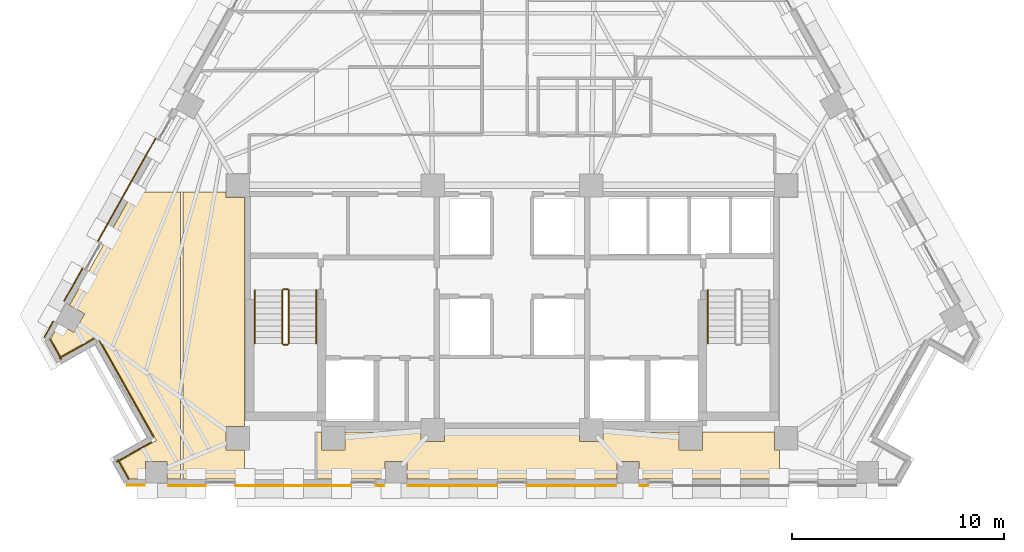
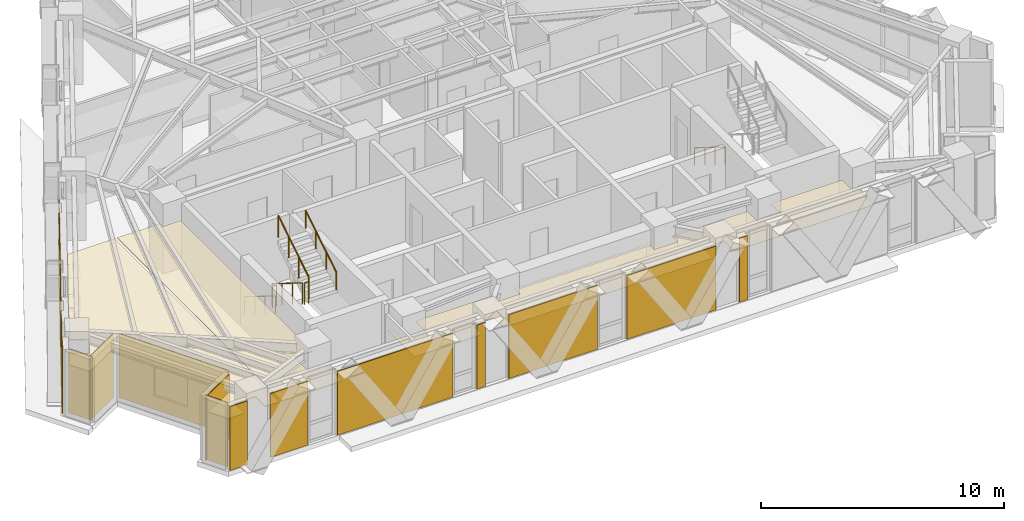
# One storey, part 10 of 13: 18 coverings, 7 railings.
"""IFC4 building model written with IfcOpenShell, lengths in metres."""

from ifc_helpers import new_model, si_unit, direction, frame, origin, origin_2d, place, context, subcontext, project, spatial, polyline, circle, outline, extrude, material, layer, layer_set, type_object, element, save


model = new_model("IFC4")

# Units and contexts
model_context = context("Model", 3, precision=1e-05, world=origin(), true_north=direction((0.0, 1.0)))
body_context = subcontext(model_context, "Body", "Model", "MODEL_VIEW")
ifc_project = project(units=[si_unit("LENGTHUNIT", "METRE"), si_unit("AREAUNIT", "SQUARE_METRE"), si_unit("VOLUMEUNIT", "CUBIC_METRE"), si_unit("PLANEANGLEUNIT", "RADIAN"), si_unit("MASSUNIT", "GRAM", prefix="KILO")], contexts=[model_context])

# Site, building, storey
site_placement = place(None, origin())
site = spatial("IfcSite", under=ifc_project, at=site_placement, CompositionType="ELEMENT")
building_placement = place(site_placement, origin())
building = spatial("IfcBuilding", under=site, at=building_placement, Name="Quenlor Broadcast Tower", CompositionType="ELEMENT")
storey_placement = place(building_placement, frame((0.0, 0.0, 130.0)))
storey = spatial("IfcBuildingStorey", under=building, at=storey_placement, Name="L35", CompositionType="ELEMENT", Elevation=130.0)

# Coverings
ifc_material_1 = material(Name="Acoustic Mineral Fibre Board", Category="other")
ifc_layer_1 = layer(ifc_material_1, 0.02490234375)
ifc_layer_set_1 = layer_set([ifc_layer_1], Name="Acoustic Perforated Mineral Tile Ceiling 25")
covering_type_1 = type_object("IfcCoveringType", Name="Acoustic Perforated Mineral Tile Ceiling 25", PredefinedType="CEILING", material=ifc_layer_set_1)
covering_1_placement = place(storey_placement, frame((0.0, 0.0, 2.375)))
element("IfcCovering", 1, at=covering_1_placement, inside=storey, type_object=covering_type_1, Name="L35 Acoustic Ceiling L35-35-4", PredefinedType="CEILING", context=body_context, shape_type="SweptSolid", body=[
    extrude(outline(polyline([(5.989013671875, -18.659912109375), (5.989013671875, -17.842041015625), (4.972900390625, -17.842041015625), (4.972900390625, -18.659912109375), (-4.972900390625, -18.659912109375), (-4.972900390625, -17.842041015625), (-5.989013671875, -17.842041015625), (-5.989013671875, -18.659912109375), (-9.209228515625, -18.659912109375), (-9.209228515625, -16.449951171875), (-9.008056640625, -16.449951171875), (-9.008056640625, -17.30810546875), (-7.89208984375, -17.30810546875), (-7.89208984375, -16.449951171875), (-4.30810546875, -16.449951171875), (-4.30810546875, -16.907958984375), (-3.19189453125, -16.907958984375), (-3.19189453125, -16.449951171875), (3.19189453125, -16.449951171875), (3.19189453125, -16.907958984375), (4.30810546875, -16.907958984375), (4.30810546875, -16.449951171875), (7.89208984375, -16.449951171875), (7.89208984375, -17.30810546875), (9.008056640625, -17.30810546875), (9.008056640625, -16.449951171875), (12.39208984375, -16.449951171875), (12.39208984375, -17.30810546875), (12.64990234375, -17.30810546875), (12.64990234375, -18.659912109375), (5.989013671875, -18.659912109375)])), origin(), (0.0, 0.0, 1.0), 0.02490234375),
])
ifc_material_2 = material(Name="Acoustic Gypsum Board", Category="other")
ifc_layer_2 = layer(ifc_material_2, 0.0400390625)
ifc_layer_set_2 = layer_set([ifc_layer_2], Name="Broadcast Studio Spring Isolated Ceiling 40")
covering_type_2 = type_object("IfcCoveringType", Name="Broadcast Studio Spring Isolated Ceiling 40", PredefinedType="CEILING", material=ifc_layer_set_2)
covering_2_placement = place(storey_placement, frame((0.0, 0.0, 2.360107421875)))
element("IfcCovering", 2, at=covering_2_placement, inside=storey, type_object=covering_type_2, Name="L35 Acoustic Ceiling L35-34-2", PredefinedType="CEILING", context=body_context, shape_type="SweptSolid", body=[
    extrude(outline(polyline([(-21.794921875, -12.0400390625), (-21.406982421875, -11.350341796875), (-20.694091796875, -11.751220703125), (-20.19580078125, -10.86572265625), (-20.90869140625, -10.46484375), (-17.90234375, -5.1201171875), (-15.659912109375, -5.1201171875), (-15.659912109375, -18.659912109375), (-16.30029296875, -18.659912109375), (-16.30029296875, -17.842041015625), (-17.31640625, -17.842041015625), (-17.31640625, -18.659912109375), (-18.071044921875, -18.659912109375), (-18.538818359375, -17.82861328125), (-16.795654296875, -16.847900390625), (-19.580322265625, -11.8974609375), (-21.323486328125, -12.878173828125), (-21.794921875, -12.0400390625)])), origin(), (0.0, 0.0, 1.0), 0.039794921875),
])
covering_3_placement = place(storey_placement, frame((0.0, 0.0, 2.360107421875)))
element("IfcCovering", 3, at=covering_3_placement, inside=storey, type_object=covering_type_2, Name="L35 Acoustic Ceiling L35-34-3", PredefinedType="CEILING", context=body_context, shape_type="SweptSolid", body=[
    extrude(outline(polyline([(-13.508056640625, -5.35791015625), (-12.64990234375, -5.35791015625), (-12.64990234375, -16.19189453125), (-13.508056640625, -16.19189453125), (-13.508056640625, -17.30810546875), (-12.64990234375, -17.30810546875), (-12.64990234375, -18.659912109375), (-15.5400390625, -18.659912109375), (-15.5400390625, -5.1201171875), (-13.508056640625, -5.1201171875), (-13.508056640625, -5.35791015625)])), origin(), (0.0, 0.0, 1.0), 0.039794921875),
])
ifc_material_3 = material(Name="Architectural Terracotta Ceramic", Category="masonry")
ifc_layer_3 = layer(ifc_material_3, 0.044921875)
ifc_layer_set_3 = layer_set([ifc_layer_3], Name="Fluted Terracotta Rainscreen Cladding Panel")
covering_type_3 = type_object("IfcCoveringType", Name="Fluted Terracotta Rainscreen Cladding Panel", PredefinedType="CLADDING", material=ifc_layer_set_3)
covering_4_placement = place(storey_placement, frame((0.0, 0.0, 0.02001953125)))
element("IfcCovering", 4, at=covering_4_placement, inside=storey, type_object=covering_type_3, Name="L35 Terracotta Rainscreen Cladding L35-SHD-SS1", PredefinedType="CLADDING", context=body_context, shape_type="SweptSolid", body=[
    extrude(outline(polyline([(-17.343505859375, -18.93701171875), (-18.179931640625, -18.93701171875), (-18.179931640625, -18.98193359375), (-17.343505859375, -18.98193359375), (-17.343505859375, -18.93701171875)])), origin(), (0.0, 0.0, 1.0), 3.2099609375),
])
covering_5_placement = place(storey_placement, frame((0.0, 0.0, 0.02001953125)))
element("IfcCovering", 5, at=covering_5_placement, inside=storey, type_object=covering_type_3, Name="L35 Terracotta Rainscreen Cladding L35-SA-SP3", PredefinedType="CLADDING", context=body_context, shape_type="SweptSolid", body=[
    extrude(outline(polyline([(6.43603515625, -18.95703125), (6.035888671875, -18.95703125), (6.035888671875, -19.001953125), (6.43603515625, -19.001953125), (6.43603515625, -18.95703125)])), origin(), (0.0, 0.0, 1.0), 3.2099609375),
])
covering_6_placement = place(storey_placement, frame((0.0, 0.0, 0.02001953125)))
element("IfcCovering", 6, at=covering_6_placement, inside=storey, type_object=covering_type_3, Name="L35 Terracotta Rainscreen Cladding L35-SC-SP1", PredefinedType="CLADDING", context=body_context, shape_type="SweptSolid", body=[
    extrude(outline(polyline([(-6.035888671875, -18.95703125), (-6.43603515625, -18.95703125), (-6.43603515625, -19.001953125), (-6.035888671875, -19.001953125), (-6.035888671875, -18.95703125)])), origin(), (0.0, 0.0, 1.0), 3.2099609375),
])
covering_7_placement = place(storey_placement, frame((0.0, 0.0, 0.02001953125)))
element("IfcCovering", 7, at=covering_7_placement, inside=storey, type_object=covering_type_3, Name="L35 Terracotta Rainscreen Cladding L35-SC-SP2", PredefinedType="CLADDING", context=body_context, shape_type="SweptSolid", body=[
    extrude(outline(polyline([(-7.5869140625, -18.95703125), (-13.076904296875, -18.95703125), (-13.076904296875, -19.001953125), (-7.5869140625, -19.001953125), (-7.5869140625, -18.95703125)])), origin(), (0.0, 0.0, 1.0), 3.2099609375),
])
covering_8_placement = place(storey_placement, frame((0.0, 0.0, 0.02001953125)))
element("IfcCovering", 8, at=covering_8_placement, inside=storey, type_object=covering_type_3, Name="L35 Terracotta Rainscreen Cladding L35-SC-SP3", PredefinedType="CLADDING", context=body_context, shape_type="SweptSolid", body=[
    extrude(outline(polyline([(-14.47509765625, -18.95703125), (-16.25341796875, -18.95703125), (-16.25341796875, -19.001953125), (-14.47509765625, -19.001953125), (-14.47509765625, -18.95703125)])), origin(), (0.0, 0.0, 1.0), 3.2099609375),
])
covering_9_placement = place(storey_placement, frame((0.0, 0.0, 0.02001953125)))
element("IfcCovering", 9, at=covering_9_placement, inside=storey, type_object=covering_type_3, Name="L35 Terracotta Rainscreen Cladding L35-S-SP1", PredefinedType="CLADDING", context=body_context, shape_type="SweptSolid", body=[
    extrude(outline(polyline([(4.930908203125, -18.95703125), (0.698974609375, -18.95703125), (0.698974609375, -19.001953125), (4.930908203125, -19.001953125), (4.930908203125, -18.95703125)])), origin(), (0.0, 0.0, 1.0), 3.2099609375),
])
covering_10_placement = place(storey_placement, frame((0.0, 0.0, 0.02001953125)))
element("IfcCovering", 10, at=covering_10_placement, inside=storey, type_object=covering_type_3, Name="L35 Terracotta Rainscreen Cladding L35-S-SP2", PredefinedType="CLADDING", context=body_context, shape_type="SweptSolid", body=[
    extrude(outline(polyline([(-0.698974609375, -18.95703125), (-4.930908203125, -18.95703125), (-4.930908203125, -19.001953125), (-0.698974609375, -19.001953125), (-0.698974609375, -18.95703125)])), origin(), (0.0, 0.0, 1.0), 3.2099609375),
])
covering_11_placement = place(storey_placement, frame((0.0, 0.0, 0.02001953125)))
element("IfcCovering", 11, at=covering_11_placement, inside=storey, type_object=covering_type_3, Name="L35 Terracotta Rainscreen Cladding L35-SHD-NWS0", PredefinedType="CLADDING", context=body_context, shape_type="SweptSolid", body=[
    extrude(outline(polyline([(-22.0859375, -11.992431640625), (-21.66162109375, -11.23779296875), (-21.70068359375, -11.2158203125), (-22.125244140625, -11.970458984375), (-22.0859375, -11.992431640625)])), origin(), (0.0, 0.0, 1.0), 3.2099609375),
])
covering_12_placement = place(storey_placement, frame((0.0, 0.0, 0.02001953125)))
element("IfcCovering", 12, at=covering_12_placement, inside=storey, type_object=covering_type_3, Name="L35 Terracotta Rainscreen Cladding L35-NWA-SP1", PredefinedType="CLADDING", context=body_context, shape_type="SweptSolid", body=[
    extrude(outline(polyline([(-21.14453125, -10.278076171875), (-20.26416015625, -8.712646484375), (-20.30322265625, -8.690673828125), (-21.183837890625, -10.256103515625), (-21.14453125, -10.278076171875)])), origin(), (0.0, 0.0, 1.0), 3.2099609375),
])
covering_13_placement = place(storey_placement, frame((0.0, 0.0, 0.02001953125)))
element("IfcCovering", 13, at=covering_13_placement, inside=storey, type_object=covering_type_3, Name="L35 Terracotta Rainscreen Cladding L35-NWA-SP2", PredefinedType="CLADDING", context=body_context, shape_type="SweptSolid", body=[
    extrude(outline(polyline([(-19.55322265625, -7.44921875), (-16.81591796875, -2.582763671875), (-16.855224609375, -2.560791015625), (-19.592529296875, -7.42724609375), (-19.55322265625, -7.44921875)])), origin(), (0.0, 0.0, 1.0), 3.2099609375),
])
covering_14_placement = place(storey_placement, frame((0.0, 0.0, 0.02001953125)))
element("IfcCovering", 14, at=covering_14_placement, inside=storey, type_object=covering_type_3, Name="L35 Terracotta Rainscreen Cladding L35-CNR-12", PredefinedType="CLADDING", context=body_context, shape_type="SweptSolid", body=[
    extrude(outline(polyline([(-21.864501953125, -12.0546875), (-21.309326171875, -13.0419921875), (-21.27001953125, -13.02001953125), (-21.825439453125, -12.03271484375), (-21.864501953125, -12.0546875)])), origin(), (0.0, 0.0, 1.0), 3.2099609375),
])
covering_15_placement = place(storey_placement, frame((0.0, 0.0, 0.02001953125)))
element("IfcCovering", 15, at=covering_15_placement, inside=storey, type_object=covering_type_3, Name="L35 Terracotta Rainscreen Cladding L35-CNR-13", PredefinedType="CLADDING", context=body_context, shape_type="SweptSolid", body=[
    extrude(outline(polyline([(-21.385986328125, -12.9912109375), (-19.72998046875, -12.059814453125), (-19.752197265625, -12.0205078125), (-21.408203125, -12.9521484375), (-21.385986328125, -12.9912109375)])), origin(), (0.0, 0.0, 1.0), 3.2099609375),
])
covering_16_placement = place(storey_placement, frame((0.0, 0.0, 0.02001953125)))
element("IfcCovering", 16, at=covering_16_placement, inside=storey, type_object=covering_type_3, Name="L35 Terracotta Rainscreen Cladding L35-CNR-14", PredefinedType="CLADDING", context=body_context, shape_type="SweptSolid", body=[
    extrude(outline(polyline([(-19.51708984375, -12.148681640625), (-16.9580078125, -16.6982421875), (-16.918701171875, -16.67626953125), (-19.477783203125, -12.126708984375), (-19.51708984375, -12.148681640625)])), origin(), (0.0, 0.0, 1.0), 3.2099609375),
])
covering_17_placement = place(storey_placement, frame((0.0, 0.0, 0.02001953125)))
element("IfcCovering", 17, at=covering_17_placement, inside=storey, type_object=covering_type_3, Name="L35 Terracotta Rainscreen Cladding L35-CNR-15", PredefinedType="CLADDING", context=body_context, shape_type="SweptSolid", body=[
    extrude(outline(polyline([(-17.046875, -16.911376953125), (-18.702880859375, -17.8427734375), (-18.680908203125, -17.882080078125), (-17.02490234375, -16.950439453125), (-17.046875, -16.911376953125)])), origin(), (0.0, 0.0, 1.0), 3.2099609375),
])
covering_18_placement = place(storey_placement, frame((0.0, 0.0, 0.02001953125)))
element("IfcCovering", 18, at=covering_18_placement, inside=storey, type_object=covering_type_3, Name="L35 Terracotta Rainscreen Cladding L35-CNR-16", PredefinedType="CLADDING", context=body_context, shape_type="SweptSolid", body=[
    extrude(outline(polyline([(-18.652099609375, -17.76611328125), (-18.127685546875, -18.697998046875), (-18.088623046875, -18.67578125), (-18.61279296875, -17.743896484375), (-18.652099609375, -17.76611328125)])), origin(), (0.0, 0.0, 1.0), 3.2099609375),
])

# Railings
ifc_material_4 = material(Name="Anodised Aluminium", Category="aluminium")
railing_type_1 = type_object("IfcRailingType", Name="Stainless Aluminium Wall Handrail 900", PredefinedType="HANDRAIL", material=ifc_material_4)
railing_1_placement = place(storey_placement, frame((-12.14990234375, -9.75, 0.175048828125)))
element("IfcRailing", 19, at=railing_1_placement, inside=storey, type_object=railing_type_1, Name="L35 ST-1 stair handrail 1", PredefinedType="HANDRAIL", context=body_context, shape_type="SweptSolid", body=[
    extrude(circle(Radius=0.02392578125, at=origin_2d()), frame((0.0, 0.0, 0.8759765625), z_axis=(0.0, -0.848007534815, 0.529984170421), x_axis=(1.0, 0.0, 0.0)), (0.0, 0.0, 1.0), 2.9716796875),
    extrude(circle(Radius=0.02099609375, at=origin_2d()), origin(), (0.0, 0.0, 1.0), 0.851806640625),
    extrude(circle(Radius=0.02099609375, at=origin_2d()), frame((0.0, -0.840087890625, 0.52490234375)), (0.0, 0.0, 1.0), 0.851806640625),
    extrude(circle(Radius=0.02099609375, at=origin_2d()), frame((0.0, -1.679931640625, 1.050048828125)), (0.0, 0.0, 1.0), 0.851806640625),
    extrude(circle(Radius=0.02099609375, at=origin_2d()), frame((0.0, -2.52001953125, 1.574951171875)), (0.0, 0.0, 1.0), 0.851806640625),
])
railing_2_placement = place(storey_placement, frame((-9.25, -12.27001953125, 1.925048828125)))
element("IfcRailing", 20, at=railing_2_placement, inside=storey, type_object=railing_type_1, Name="L35 ST-1 stair handrail 2", PredefinedType="HANDRAIL", context=body_context, shape_type="SweptSolid", body=[
    extrude(circle(Radius=0.02392578125, at=origin_2d()), frame((0.0, 0.0, 0.8759765625), z_axis=(0.0, 0.848007534815, 0.529984170421), x_axis=(-1.0, 0.0, 0.0)), (0.0, 0.0, 1.0), 2.9716796875),
    extrude(circle(Radius=0.02099609375, at=origin_2d()), origin(), (0.0, 0.0, 1.0), 0.851806640625),
    extrude(circle(Radius=0.02099609375, at=origin_2d()), frame((0.0, 0.840087890625, 0.52490234375)), (0.0, 0.0, 1.0), 0.851806640625),
    extrude(circle(Radius=0.02099609375, at=origin_2d()), frame((0.0, 1.679931640625, 1.050048828125)), (0.0, 0.0, 1.0), 0.851806640625),
    extrude(circle(Radius=0.02099609375, at=origin_2d()), frame((0.0, 2.52001953125, 1.574951171875)), (0.0, 0.0, 1.0), 0.851806640625),
])
railing_3_placement = place(storey_placement, frame((9.25, -9.75, 0.175048828125)))
element("IfcRailing", 21, at=railing_3_placement, inside=storey, type_object=railing_type_1, Name="L35 ST-2 stair handrail 1", PredefinedType="HANDRAIL", context=body_context, shape_type="SweptSolid", body=[
    extrude(circle(Radius=0.02392578125, at=origin_2d()), frame((0.0, 0.0, 0.8759765625), z_axis=(0.0, -0.848007534815, 0.529984170421), x_axis=(1.0, 0.0, 0.0)), (0.0, 0.0, 1.0), 2.9716796875),
    extrude(circle(Radius=0.02099609375, at=origin_2d()), origin(), (0.0, 0.0, 1.0), 0.851806640625),
    extrude(circle(Radius=0.02099609375, at=origin_2d()), frame((0.0, -0.840087890625, 0.52490234375)), (0.0, 0.0, 1.0), 0.851806640625),
    extrude(circle(Radius=0.02099609375, at=origin_2d()), frame((0.0, -1.679931640625, 1.050048828125)), (0.0, 0.0, 1.0), 0.851806640625),
    extrude(circle(Radius=0.02099609375, at=origin_2d()), frame((0.0, -2.52001953125, 1.574951171875)), (0.0, 0.0, 1.0), 0.851806640625),
])
ifc_material_5 = material(Name="Steel S355", Category="steel")
railing_type_2 = type_object("IfcRailingType", Name="Tubular Steel S355 Stair Guardrail 1100", PredefinedType="BALUSTRADE", material=ifc_material_5)
railing_4_placement = place(storey_placement, frame((-10.85009765625, -9.75, 0.175048828125)))
element("IfcRailing", 22, at=railing_4_placement, inside=storey, type_object=railing_type_2, Name="L35 ST-1 stair guard 1", PredefinedType="BALUSTRADE", context=body_context, shape_type="SweptSolid", body=[
    extrude(circle(Radius=0.02392578125, at=origin_2d()), frame((0.0, 0.0, 1.076171875), z_axis=(0.0, -0.848007534815, 0.529984170421), x_axis=(1.0, 0.0, 0.0)), (0.0, 0.0, 1.0), 2.9716796875),
    extrude(circle(Radius=0.02099609375, at=origin_2d()), origin(), (0.0, 0.0, 1.0), 1.052001953125),
    extrude(circle(Radius=0.02099609375, at=origin_2d()), frame((0.0, -0.840087890625, 0.52490234375)), (0.0, 0.0, 1.0), 1.052001953125),
    extrude(circle(Radius=0.02099609375, at=origin_2d()), frame((0.0, -1.679931640625, 1.050048828125)), (0.0, 0.0, 1.0), 1.052001953125),
    extrude(circle(Radius=0.02099609375, at=origin_2d()), frame((0.0, -2.52001953125, 1.574951171875)), (0.0, 0.0, 1.0), 1.052001953125),
])
railing_5_placement = place(storey_placement, frame((-10.800048828125, -12.320068359375, 1.75)))
element("IfcRailing", 23, at=railing_5_placement, inside=storey, type_object=railing_type_2, Name="L35 ST-1 stair guard 2", PredefinedType="BALUSTRADE", context=body_context, shape_type="SweptSolid", body=[
    extrude(circle(Radius=0.02392578125, at=origin_2d()), frame((0.0, 0.0, 1.076171875), z_axis=(1.0, 0.0, 0.0), x_axis=(0.0, 1.0, 0.0)), (0.0, 0.0, 1.0), 0.199951171875),
    extrude(circle(Radius=0.02099609375, at=origin_2d()), origin(), (0.0, 0.0, 1.0), 1.052001953125),
    extrude(circle(Radius=0.02099609375, at=origin_2d()), frame((0.199951171875, 0.0, 0.0)), (0.0, 0.0, 1.0), 1.052001953125),
])
railing_6_placement = place(storey_placement, frame((-10.550048828125, -12.27001953125, 1.925048828125)))
element("IfcRailing", 24, at=railing_6_placement, inside=storey, type_object=railing_type_2, Name="L35 ST-1 stair guard 3", PredefinedType="BALUSTRADE", context=body_context, shape_type="SweptSolid", body=[
    extrude(circle(Radius=0.02392578125, at=origin_2d()), frame((0.0, 0.0, 1.076171875), z_axis=(0.0, 0.848007534815, 0.529984170421), x_axis=(-1.0, 0.0, 0.0)), (0.0, 0.0, 1.0), 2.9716796875),
    extrude(circle(Radius=0.02099609375, at=origin_2d()), origin(), (0.0, 0.0, 1.0), 1.052001953125),
    extrude(circle(Radius=0.02099609375, at=origin_2d()), frame((0.0, 0.840087890625, 0.52490234375)), (0.0, 0.0, 1.0), 1.052001953125),
    extrude(circle(Radius=0.02099609375, at=origin_2d()), frame((0.0, 1.679931640625, 1.050048828125)), (0.0, 0.0, 1.0), 1.052001953125),
    extrude(circle(Radius=0.02099609375, at=origin_2d()), frame((0.0, 2.52001953125, 1.574951171875)), (0.0, 0.0, 1.0), 1.052001953125),
])
railing_7_placement = place(storey_placement, frame((-10.800048828125, -9.699951171875, 0.0)))
element("IfcRailing", 25, at=railing_7_placement, inside=storey, type_object=railing_type_2, Name="L35 ST-1 stair guard 4", PredefinedType="BALUSTRADE", context=body_context, shape_type="SweptSolid", body=[
    extrude(circle(Radius=0.02392578125, at=origin_2d()), frame((0.0, 0.0, 1.076171875), z_axis=(1.0, 0.0, 0.0), x_axis=(0.0, 1.0, 0.0)), (0.0, 0.0, 1.0), 0.199951171875),
    extrude(circle(Radius=0.02099609375, at=origin_2d()), origin(), (0.0, 0.0, 1.0), 1.052001953125),
    extrude(circle(Radius=0.02099609375, at=origin_2d()), frame((0.199951171875, 0.0, 0.0)), (0.0, 0.0, 1.0), 1.052001953125),
])

save(model, "model.ifc")
